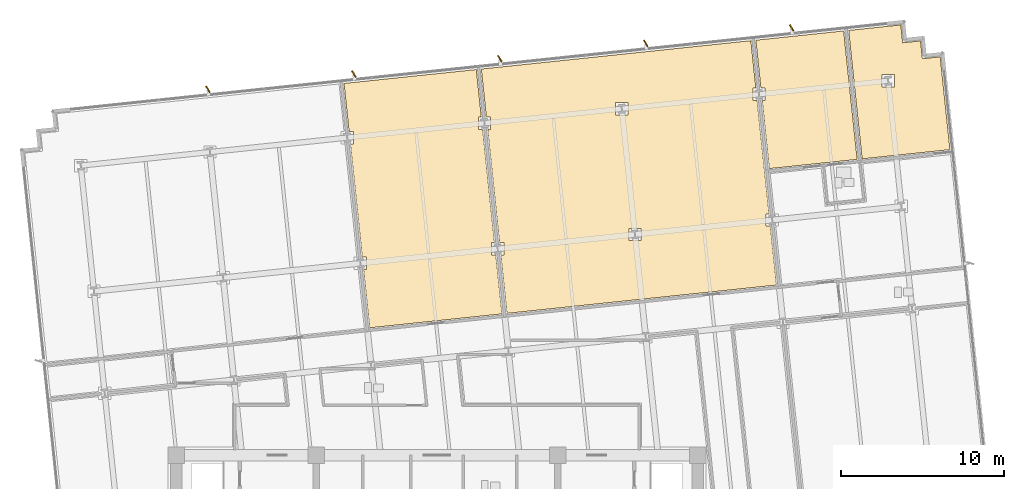
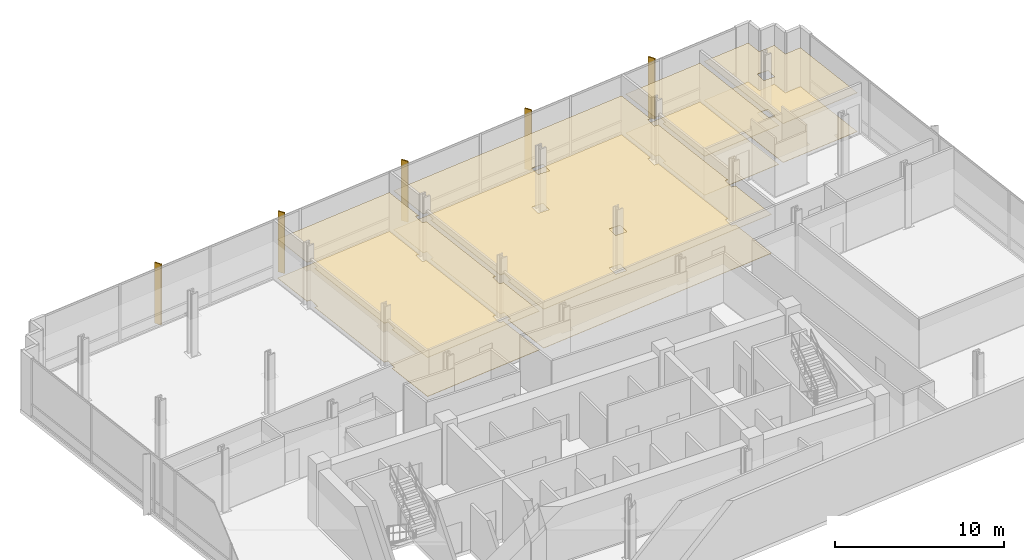
# One storey, part 19 of 20: 8 coverings, 5 shading devices.
"""IFC4 building model written with IfcOpenShell, lengths in metres."""

from ifc_helpers import new_model, si_unit, direction, frame, origin, origin_2d, place, context, subcontext, project, spatial, polyline, rectangle, outline, extrude, material, layer, layer_set, type_object, element, save


model = new_model("IFC4")

# Units and contexts
model_context = context("Model", 3, precision=1e-05, world=origin(), true_north=direction((0.0, 1.0)))
body_context = subcontext(model_context, "Body", "Model", "MODEL_VIEW")
ifc_project = project(units=[si_unit("LENGTHUNIT", "METRE"), si_unit("AREAUNIT", "SQUARE_METRE"), si_unit("VOLUMEUNIT", "CUBIC_METRE"), si_unit("PLANEANGLEUNIT", "RADIAN"), si_unit("MASSUNIT", "GRAM", prefix="KILO")], contexts=[model_context])

# Site, building, storey
site_placement = place(None, origin())
site = spatial("IfcSite", under=ifc_project, at=site_placement, CompositionType="ELEMENT")
building_placement = place(site_placement, origin())
building = spatial("IfcBuilding", under=site, at=building_placement, Name="Solmavex Isthmus Hotel", CompositionType="ELEMENT")
storey_placement = place(building_placement, frame((0.0, 0.0, 97.35009765625)))
storey = spatial("IfcBuildingStorey", under=building, at=storey_placement, Name="L26", CompositionType="ELEMENT", Elevation=97.35009765625)

# Coverings
ifc_material_1 = material(Name="Gypsum plasterboard lining", Category="gypsum")
ifc_layer_1 = layer(ifc_material_1, 0.030029296875)
ifc_layer_set_1 = layer_set([ifc_layer_1], Name="Gypsum plasterboard lining")
covering_type_1 = type_object("IfcCoveringType", Name="COV-CEIL-GYP", PredefinedType="CEILING", material=ifc_layer_set_1)
covering_1_placement = place(storey_placement, frame((0.0, 0.0, 2.7998046875)))
element("IfcCovering", 1, at=covering_1_placement, inside=storey, type_object=covering_type_1, Name="Suspended Acoustic Ceiling L26-RM02", PredefinedType="CEILING", context=body_context, shape_type="SweptSolid", body=[
    extrude(outline(polyline([(-4.58154296875, 9.64697265625), (-4.3173828125, 9.64697265625), (-4.3173828125, 8.886962890625), (-4.501708984375, 8.886962890625), (-4.1259765625, 5.31201171875), (-1.164306640625, 5.62353515625), (-0.57666015625, 5.68505859375), (3.9853515625, 6.16455078125), (3.606201171875, 9.77197265625), (3.34228515625, 9.77197265625), (3.34228515625, 10.531982421875), (3.5263671875, 10.531982421875), (2.7958984375, 17.4814453125), (2.53173828125, 17.4814453125), (2.53173828125, 18.241455078125), (2.716064453125, 18.241455078125), (2.41015625, 21.152099609375), (-5.701171875, 20.299560546875), (-5.391845703125, 17.356689453125), (-5.127685546875, 17.356689453125), (-5.127685546875, 16.5966796875), (-5.31201171875, 16.5966796875), (-4.58154296875, 9.64697265625)])), origin(), (0.0, 0.0, 1.0), 0.030029296875),
])
covering_2_placement = place(storey_placement, frame((0.0, 0.0, 2.7998046875)))
element("IfcCovering", 2, at=covering_2_placement, inside=storey, type_object=covering_type_1, Name="Suspended Acoustic Ceiling L26-RM03", PredefinedType="CEILING", context=body_context, shape_type="SweptSolid", body=[
    extrude(outline(polyline([(3.838134765625, 10.531982421875), (4.10205078125, 10.531982421875), (4.10205078125, 9.77197265625), (3.91796875, 9.77197265625), (4.293701171875, 6.197021484375), (15.69482421875, 7.395263671875), (17.917724609375, 7.62890625), (20.82470703125, 7.9345703125), (20.445556640625, 11.541748046875), (20.181396484375, 11.541748046875), (20.181396484375, 12.3017578125), (20.36572265625, 12.3017578125), (19.63525390625, 19.25146484375), (19.37109375, 19.25146484375), (19.37109375, 20.011474609375), (19.555419921875, 20.011474609375), (19.24951171875, 22.921875), (2.718505859375, 21.1845703125), (3.02783203125, 18.241455078125), (3.291748046875, 18.241455078125), (3.291748046875, 17.4814453125), (3.107666015625, 17.4814453125), (3.838134765625, 10.531982421875)]), holes=[polyline([(11.76171875, 10.656982421875), (11.76171875, 11.4169921875), (12.521728515625, 11.4169921875), (12.521728515625, 10.656982421875), (11.76171875, 10.656982421875)]), polyline([(10.951416015625, 18.366455078125), (10.951416015625, 19.12646484375), (11.71142578125, 19.12646484375), (11.71142578125, 18.366455078125), (10.951416015625, 18.366455078125)])]), origin(), (0.0, 0.0, 1.0), 0.030029296875),
])
covering_3_placement = place(storey_placement, frame((0.0, 0.0, 2.7998046875)))
element("IfcCovering", 3, at=covering_3_placement, inside=storey, type_object=covering_type_1, Name="Suspended Acoustic Ceiling L26-HB04", PredefinedType="CEILING", context=body_context, shape_type="SweptSolid", body=[
    extrude(outline(polyline([(19.866943359375, 20.011474609375), (20.131103515625, 20.011474609375), (20.131103515625, 19.25146484375), (19.947021484375, 19.25146484375), (20.3857421875, 15.07568359375), (25.77001953125, 15.6416015625), (24.942138671875, 23.520263671875), (19.5576171875, 22.954345703125), (19.866943359375, 20.011474609375)])), origin(), (0.0, 0.0, 1.0), 0.030029296875),
])
covering_4_placement = place(storey_placement, frame((0.0, 0.0, 2.7998046875)))
element("IfcCovering", 4, at=covering_4_placement, inside=storey, type_object=covering_type_1, Name="Suspended Acoustic Ceiling L26-HP04", PredefinedType="CEILING", context=body_context, shape_type="SweptSolid", body=[
    extrude(outline(polyline([(30.86474609375, 21.9306640625), (29.770751953125, 21.815673828125), (29.65576171875, 22.90966796875), (28.561767578125, 22.794677734375), (28.44677734375, 23.888671875), (27.626220703125, 23.802490234375), (25.250244140625, 23.552734375), (26.078369140625, 15.674072265625), (31.462646484375, 16.239990234375), (30.950927734375, 21.110107421875), (30.86474609375, 21.9306640625)]), holes=[polyline([(27.29541015625, 20.84423828125), (28.055419921875, 20.84423828125), (28.055419921875, 20.084228515625), (27.29541015625, 20.084228515625), (27.29541015625, 20.84423828125)])]), origin(), (0.0, 0.0, 1.0), 0.030029296875),
])
ifc_material_2 = material(Name="Travertine natural stone", Category="masonry")
ifc_layer_2 = layer(ifc_material_2, 0.02490234375)
ifc_layer_set_2 = layer_set([ifc_layer_2], Name="Travertine natural stone")
covering_type_2 = type_object("IfcCoveringType", Name="COV-FLOR-STN", PredefinedType="FLOORING", material=ifc_layer_set_2)
covering_5_placement = place(storey_placement, origin())
element("IfcCovering", 5, at=covering_5_placement, inside=storey, type_object=covering_type_2, Name="Stone and Timber Floor Finish L26-RM02", PredefinedType="FLOORING", context=body_context, shape_type="SweptSolid", body=[
    extrude(outline(polyline([(-4.58154296875, 9.64697265625), (-4.3173828125, 9.64697265625), (-4.3173828125, 8.886962890625), (-4.501708984375, 8.886962890625), (-4.1259765625, 5.31201171875), (-1.164306640625, 5.62353515625), (-0.57666015625, 5.68505859375), (3.9853515625, 6.16455078125), (3.606201171875, 9.77197265625), (3.34228515625, 9.77197265625), (3.34228515625, 10.531982421875), (3.5263671875, 10.531982421875), (2.7958984375, 17.4814453125), (2.53173828125, 17.4814453125), (2.53173828125, 18.241455078125), (2.716064453125, 18.241455078125), (2.41015625, 21.152099609375), (-5.701171875, 20.299560546875), (-5.391845703125, 17.356689453125), (-5.127685546875, 17.356689453125), (-5.127685546875, 16.5966796875), (-5.31201171875, 16.5966796875), (-4.58154296875, 9.64697265625)])), origin(), (0.0, 0.0, 1.0), 0.02490234375),
])
covering_6_placement = place(storey_placement, origin())
element("IfcCovering", 6, at=covering_6_placement, inside=storey, type_object=covering_type_2, Name="Stone and Timber Floor Finish L26-RM03", PredefinedType="FLOORING", context=body_context, shape_type="SweptSolid", body=[
    extrude(outline(polyline([(3.838134765625, 10.531982421875), (4.10205078125, 10.531982421875), (4.10205078125, 9.77197265625), (3.91796875, 9.77197265625), (4.293701171875, 6.197021484375), (15.69482421875, 7.395263671875), (17.917724609375, 7.62890625), (20.82470703125, 7.9345703125), (20.445556640625, 11.541748046875), (20.181396484375, 11.541748046875), (20.181396484375, 12.3017578125), (20.36572265625, 12.3017578125), (19.63525390625, 19.25146484375), (19.37109375, 19.25146484375), (19.37109375, 20.011474609375), (19.555419921875, 20.011474609375), (19.24951171875, 22.921875), (2.718505859375, 21.1845703125), (3.02783203125, 18.241455078125), (3.291748046875, 18.241455078125), (3.291748046875, 17.4814453125), (3.107666015625, 17.4814453125), (3.838134765625, 10.531982421875)]), holes=[polyline([(11.76171875, 10.656982421875), (11.76171875, 11.4169921875), (12.521728515625, 11.4169921875), (12.521728515625, 10.656982421875), (11.76171875, 10.656982421875)]), polyline([(10.951416015625, 18.366455078125), (10.951416015625, 19.12646484375), (11.71142578125, 19.12646484375), (11.71142578125, 18.366455078125), (10.951416015625, 18.366455078125)])]), origin(), (0.0, 0.0, 1.0), 0.02490234375),
])
covering_7_placement = place(storey_placement, origin())
element("IfcCovering", 7, at=covering_7_placement, inside=storey, type_object=covering_type_2, Name="Stone and Timber Floor Finish L26-HB04", PredefinedType="FLOORING", context=body_context, shape_type="SweptSolid", body=[
    extrude(outline(polyline([(19.866943359375, 20.011474609375), (20.131103515625, 20.011474609375), (20.131103515625, 19.25146484375), (19.947021484375, 19.25146484375), (20.3857421875, 15.07568359375), (25.77001953125, 15.6416015625), (24.942138671875, 23.520263671875), (19.5576171875, 22.954345703125), (19.866943359375, 20.011474609375)])), origin(), (0.0, 0.0, 1.0), 0.02490234375),
])
covering_8_placement = place(storey_placement, origin())
element("IfcCovering", 8, at=covering_8_placement, inside=storey, type_object=covering_type_2, Name="Stone and Timber Floor Finish L26-HP04", PredefinedType="FLOORING", context=body_context, shape_type="SweptSolid", body=[
    extrude(outline(polyline([(30.86474609375, 21.9306640625), (29.770751953125, 21.815673828125), (29.65576171875, 22.90966796875), (28.561767578125, 22.794677734375), (28.44677734375, 23.888671875), (27.626220703125, 23.802490234375), (25.250244140625, 23.552734375), (26.078369140625, 15.674072265625), (31.462646484375, 16.239990234375), (30.950927734375, 21.110107421875), (30.86474609375, 21.9306640625)]), holes=[polyline([(27.29541015625, 20.84423828125), (28.055419921875, 20.84423828125), (28.055419921875, 20.084228515625), (27.29541015625, 20.084228515625), (27.29541015625, 20.84423828125)])]), origin(), (0.0, 0.0, 1.0), 0.02490234375),
])

# Shading devices
ifc_material_3 = material(Name="Aluminium alloy 6063-T6", Category="aluminium")
shading_device_type = type_object("IfcShadingDeviceType", Name="SHD-FIN-BRONZE", PredefinedType="USERDEFINED", material=ifc_material_3)
for number, where, z_axis, x_axis, name in (
    (9, (-14.04833984375, 19.940185546875, -0.14013671875), (0.0, 0.0, 1.0), (-0.529919264233, 0.848048096156, 0.0), "Anodised Aluminium Solar Fin L26-N1"),
    (10, (-5.09765625, 20.880859375, -0.14013671875), (0.0, 0.0, 1.0), (-0.529919264233, 0.848048096156, 0.0), "Anodised Aluminium Solar Fin L26-N2"),
    (11, (3.85302734375, 21.821533203125, -0.14013671875), (0.0, 0.0, 1.0), (-0.529919264233, 0.848048096156, 0.0), "Anodised Aluminium Solar Fin L26-N3"),
    (12, (12.8037109375, 22.762451171875, -0.14013671875), (0.0, 0.0, 1.0), (-0.529919264233, 0.848048096156, 0.0), "Anodised Aluminium Solar Fin L26-N4"),
    (13, (21.75439453125, 23.703125, -0.14013671875), (0.0, 0.0, 1.0), (-0.529919264233, 0.848048096156, 0.0), "Anodised Aluminium Solar Fin L26-N5"),
):
    element("IfcShadingDevice", number, at=place(storey_placement, frame(where, z_axis=z_axis, x_axis=x_axis)), inside=storey, type_object=shading_device_type, Name=name, ObjectType="SOLAR_FIN", PredefinedType="USERDEFINED", context=body_context, shape_type="SweptSolid", body=[
        extrude(rectangle(XDim=0.449951171875, YDim=0.080078125, at=origin_2d()), origin(), (0.0, 0.0, 1.0), 4.3798828125),
    ])

save(model, "model.ifc")
